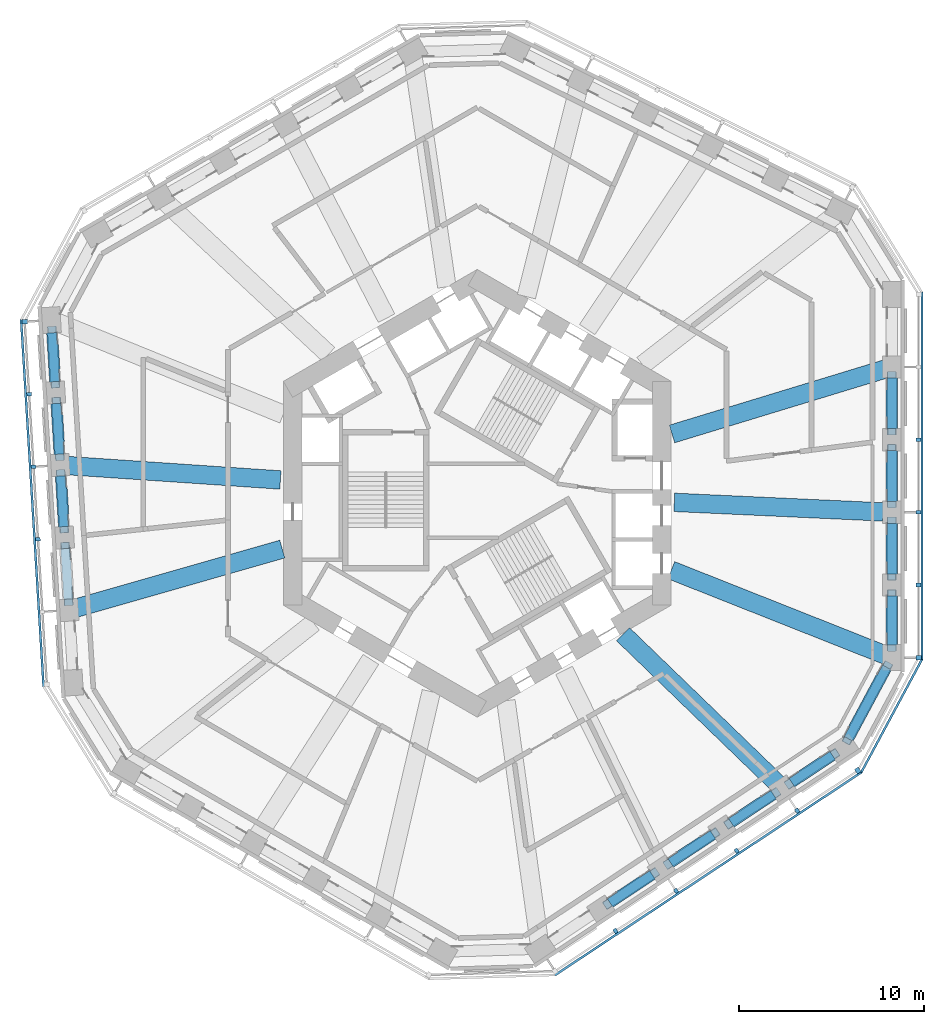
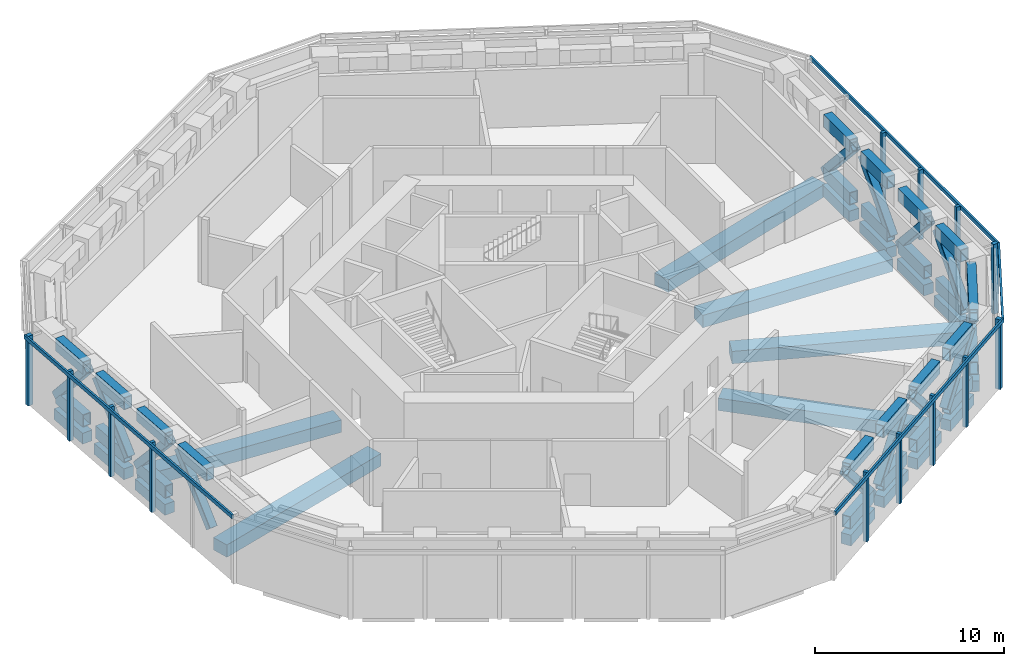
# One storey, part 2 of 15: 55 members, 18 beams, 4 elements without a shape of their own.
"""IFC4 building model written with IfcOpenShell, lengths in metres."""

from ifc_helpers import new_model, si_unit, direction, frame, origin, origin_2d, place, context, subcontext, project, spatial, rectangle, hollow_rectangle, extrude, material, material_profile, profile_set, type_object, element, aggregate, save


model = new_model("IFC4")

# Units and contexts
model_context = context("Model", 3, precision=1e-05, world=origin(), true_north=direction((0.0, 1.0)))
body_context = subcontext(model_context, "Body", "Model", "MODEL_VIEW")
ifc_project = project(units=[si_unit("LENGTHUNIT", "METRE"), si_unit("AREAUNIT", "SQUARE_METRE"), si_unit("VOLUMEUNIT", "CUBIC_METRE"), si_unit("PLANEANGLEUNIT", "RADIAN"), si_unit("MASSUNIT", "GRAM", prefix="KILO")], contexts=[model_context])

# Site, building, storey
site_placement = place(None, origin())
site = spatial("IfcSite", under=ifc_project, at=site_placement, CompositionType="ELEMENT")
building_placement = place(site_placement, origin())
building = spatial("IfcBuilding", under=site, at=building_placement, Name="Vanh Sen Convention Tower", CompositionType="ELEMENT")
storey_placement = place(building_placement, frame((0.0, 0.0, 119.89990234375)))
storey = spatial("IfcBuildingStorey", under=building, at=storey_placement, Name="L29", CompositionType="ELEMENT", Elevation=119.89990234375)

# Members
ifc_material_1 = material(Name="Steel S460", Category="steel")
ifc_material_profile_1 = material_profile(ifc_material_1, hollow_rectangle(XDim=0.5, YDim=0.800048828125, WallThickness=0.0400390625, at=origin_2d()), Name="BOX 800X500X40")
ifc_profile_set_1 = profile_set([ifc_material_profile_1], Name="Steel S460")
member_type_1 = type_object("IfcMemberType", Name="Belt truss chord BOX 800X500X40", PredefinedType="CHORD", material=ifc_profile_set_1)
for number, where, z_axis, x_axis, name in (
    (1, (22.449951171875, -8.2041015625, 0.400146484375), (0.0, 1.0, 0.0), (-1.0, 0.0, 0.0), "BELT TRUSS chord bottom 01 L29"),
    (2, (22.449951171875, -8.2041015625, 3.800048828125), (0.0, 1.0, 0.0), (-1.0, 0.0, 0.0), "BELT TRUSS chord top 01 L29"),
):
    element("IfcMember", number, at=place(storey_placement, frame(where, z_axis=z_axis, x_axis=x_axis)), inside=storey, type_object=member_type_1, Name=name, PredefinedType="CHORD", context=body_context, shape_type="SweptSolid", body=[
        extrude(hollow_rectangle(XDim=0.5, YDim=0.800048828125, WallThickness=0.0400390625, at=origin_2d()), origin(), (0.0, 0.0, 1.0), 2.64453125),
    ])
for number, where, z_axis, x_axis, name in (
    (3, (22.449951171875, -4.36962890625, 0.400146484375), (0.0, 1.0, 0.0), (-1.0, 0.0, 0.0), "BELT TRUSS chord bottom 02 L29"),
    (4, (22.449951171875, -4.36962890625, 3.800048828125), (0.0, 1.0, 0.0), (-1.0, 0.0, 0.0), "BELT TRUSS chord top 02 L29"),
    (5, (22.449951171875, -0.43505859375, 0.400146484375), (0.0, 1.0, 0.0), (-1.0, 0.0, 0.0), "BELT TRUSS chord bottom 03 L29"),
    (6, (22.449951171875, -0.43505859375, 3.800048828125), (0.0, 1.0, 0.0), (-1.0, 0.0, 0.0), "BELT TRUSS chord top 03 L29"),
    (7, (22.449951171875, 3.49951171875, 0.400146484375), (0.0, 1.0, 0.0), (-1.0, 0.0, 0.0), "BELT TRUSS chord bottom 04 L29"),
    (8, (22.449951171875, 3.49951171875, 3.800048828125), (0.0, 1.0, 0.0), (-1.0, 0.0, 0.0), "BELT TRUSS chord top 04 L29"),
):
    element("IfcMember", number, at=place(storey_placement, frame(where, z_axis=z_axis, x_axis=x_axis)), inside=storey, type_object=member_type_1, Name=name, PredefinedType="CHORD", context=body_context, shape_type="SweptSolid", body=[
        extrude(hollow_rectangle(XDim=0.5, YDim=0.800048828125, WallThickness=0.0400390625, at=origin_2d()), origin(), (0.0, 0.0, 1.0), 2.74462890625),
    ])
for number, where, z_axis, x_axis, name in (
    (9, (-23.0234375, 8.689453125, 0.400146484375), (0.061113817246, -0.998130803723, 0.0), (0.998130803723, 0.061113817246, 0.0), "BELT TRUSS chord bottom 19 L29"),
    (10, (-23.0234375, 8.689453125, 3.800048828125), (0.061113817246, -0.998130803723, 0.0), (0.998130803723, 0.061113817246, 0.0), "BELT TRUSS chord top 19 L29"),
):
    element("IfcMember", number, at=place(storey_placement, frame(where, z_axis=z_axis, x_axis=x_axis)), inside=storey, type_object=member_type_1, Name=name, PredefinedType="CHORD", context=body_context, shape_type="SweptSolid", body=[
        extrude(hollow_rectangle(XDim=0.5, YDim=0.800048828125, WallThickness=0.0400390625, at=origin_2d()), origin(), (0.0, 0.0, 1.0), 2.64453125),
    ])
for number, where, z_axis, x_axis, name in (
    (11, (-22.789306640625, 4.86181640625, 0.400146484375), (0.061115489467, -0.998130701335, 0.0), (0.998130701335, 0.061115489467, 0.0), "BELT TRUSS chord bottom 20 L29"),
    (12, (-22.789306640625, 4.86181640625, 3.800048828125), (0.061115489467, -0.998130701335, 0.0), (0.998130701335, 0.061115489467, 0.0), "BELT TRUSS chord top 20 L29"),
):
    element("IfcMember", number, at=place(storey_placement, frame(where, z_axis=z_axis, x_axis=x_axis)), inside=storey, type_object=member_type_1, Name=name, PredefinedType="CHORD", context=body_context, shape_type="SweptSolid", body=[
        extrude(hollow_rectangle(XDim=0.5, YDim=0.800048828125, WallThickness=0.0400390625, at=origin_2d()), origin(), (0.0, 0.0, 1.0), 2.744384765625),
    ])
for number, where, z_axis, x_axis, name in (
    (13, (-22.549072265625, 0.934814453125, 0.400146484375), (0.061021442686, -0.998136455367, 0.0), (0.998136455367, 0.061021442686, 0.0), "BELT TRUSS chord bottom 21 L29"),
    (14, (-22.549072265625, 0.934814453125, 3.800048828125), (0.061021442686, -0.998136455367, 0.0), (0.998136455367, 0.061021442686, 0.0), "BELT TRUSS chord top 21 L29"),
):
    element("IfcMember", number, at=place(storey_placement, frame(where, z_axis=z_axis, x_axis=x_axis)), inside=storey, type_object=member_type_1, Name=name, PredefinedType="CHORD", context=body_context, shape_type="SweptSolid", body=[
        extrude(hollow_rectangle(XDim=0.5, YDim=0.800048828125, WallThickness=0.0400390625, at=origin_2d()), origin(), (0.0, 0.0, 1.0), 2.74462890625),
    ])
for number, where, z_axis, x_axis, name in (
    (15, (-22.308837890625, -2.99267578125, 3.800048828125), (0.061026861063, -0.998136124098, 0.0), (0.998136124098, 0.061026861063, 0.0), "BELT TRUSS chord top 22 L29"),
    (16, (7.18408203125, -22.1669921875, 0.400146484375), (0.833906917805, 0.551905111805, 0.0), (-0.551905111805, 0.833906917805, 0.0), "BELT TRUSS chord bottom 32 L29"),
    (17, (7.18408203125, -22.1669921875, 3.800048828125), (0.833906917805, 0.551905111805, 0.0), (-0.551905111805, 0.833906917805, 0.0), "BELT TRUSS chord top 32 L29"),
):
    element("IfcMember", number, at=place(storey_placement, frame(where, z_axis=z_axis, x_axis=x_axis)), inside=storey, type_object=member_type_1, Name=name, PredefinedType="CHORD", context=body_context, shape_type="SweptSolid", body=[
        extrude(hollow_rectangle(XDim=0.5, YDim=0.800048828125, WallThickness=0.0400390625, at=origin_2d()), origin(), (0.0, 0.0, 1.0), 2.744384765625),
    ])
for number, where, z_axis, x_axis, name in (
    (18, (10.465087890625, -19.99560546875, 0.400146484375), (0.833865974996, 0.551966969794, 0.0), (-0.551966969794, 0.833865974996, 0.0), "BELT TRUSS chord bottom 33 L29"),
    (19, (10.465087890625, -19.99560546875, 3.800048828125), (0.833865974996, 0.551966969794, 0.0), (-0.551966969794, 0.833865974996, 0.0), "BELT TRUSS chord top 33 L29"),
):
    element("IfcMember", number, at=place(storey_placement, frame(where, z_axis=z_axis, x_axis=x_axis)), inside=storey, type_object=member_type_1, Name=name, PredefinedType="CHORD", context=body_context, shape_type="SweptSolid", body=[
        extrude(hollow_rectangle(XDim=0.5, YDim=0.800048828125, WallThickness=0.0400390625, at=origin_2d()), origin(), (0.0, 0.0, 1.0), 2.74462890625),
    ])
for number, where, z_axis, x_axis, name in (
    (20, (13.74609375, -17.82373046875, 0.400146484375), (0.833906917805, 0.551905111805, 0.0), (-0.551905111805, 0.833906917805, 0.0), "BELT TRUSS chord bottom 34 L29"),
    (21, (13.74609375, -17.82373046875, 3.800048828125), (0.833906917805, 0.551905111805, 0.0), (-0.551905111805, 0.833906917805, 0.0), "BELT TRUSS chord top 34 L29"),
):
    element("IfcMember", number, at=place(storey_placement, frame(where, z_axis=z_axis, x_axis=x_axis)), inside=storey, type_object=member_type_1, Name=name, PredefinedType="CHORD", context=body_context, shape_type="SweptSolid", body=[
        extrude(hollow_rectangle(XDim=0.5, YDim=0.800048828125, WallThickness=0.0400390625, at=origin_2d()), origin(), (0.0, 0.0, 1.0), 2.744384765625),
    ])
for number, where, z_axis, x_axis, name in (
    (22, (17.027099609375, -15.652099609375, 0.400146484375), (0.833877845886, 0.551949035819, 0.0), (-0.551949035819, 0.833877845886, 0.0), "BELT TRUSS chord bottom 35 L29"),
    (23, (17.027099609375, -15.652099609375, 3.800048828125), (0.833877845886, 0.551949035819, 0.0), (-0.551949035819, 0.833877845886, 0.0), "BELT TRUSS chord top 35 L29"),
):
    element("IfcMember", number, at=place(storey_placement, frame(where, z_axis=z_axis, x_axis=x_axis)), inside=storey, type_object=member_type_1, Name=name, PredefinedType="CHORD", context=body_context, shape_type="SweptSolid", body=[
        extrude(hollow_rectangle(XDim=0.5, YDim=0.800048828125, WallThickness=0.0400390625, at=origin_2d()), origin(), (0.0, 0.0, 1.0), 2.644775390625),
    ])
for number, where, z_axis, x_axis, name in (
    (24, (20.08935546875, -13.29248046875, 0.400146484375), (0.473335516366, 0.880882221949, 0.0), (-0.880882221949, 0.473335516366, 0.0), "BELT TRUSS chord bottom 36 L29"),
    (25, (20.08935546875, -13.29248046875, 3.800048828125), (0.473335516366, 0.880882221949, 0.0), (-0.880882221949, 0.473335516366, 0.0), "BELT TRUSS chord top 36 L29"),
):
    element("IfcMember", number, at=place(storey_placement, frame(where, z_axis=z_axis, x_axis=x_axis)), inside=storey, type_object=member_type_1, Name=name, PredefinedType="CHORD", context=body_context, shape_type="SweptSolid", body=[
        extrude(hollow_rectangle(XDim=0.5, YDim=0.800048828125, WallThickness=0.0400390625, at=origin_2d()), origin(), (0.0, 0.0, 1.0), 4.401123046875),
    ])
ifc_material_2 = material(Name="Steel S355", Category="steel")
ifc_material_profile_2 = material_profile(ifc_material_2, hollow_rectangle(XDim=0.5, YDim=0.5, WallThickness=0.02490234375, InnerFilletRadius=0.02490234375, OuterFilletRadius=0.050048828125, at=origin_2d()), Name="SHS 500X500X25")
ifc_profile_set_2 = profile_set([ifc_material_profile_2], Name="Steel S355")
member_type_2 = type_object("IfcMemberType", Name="Belt truss diagonal SHS 500X500X25", PredefinedType="BRACE", material=ifc_profile_set_2)
member_1_placement = place(storey_placement, frame((22.449951171875, -8.36767578125, 0.400146484375), z_axis=(0.0, 0.658098773361, 0.752931606788), x_axis=(-1.0, 0.0, 0.0)))
element("IfcMember", 26, at=member_1_placement, inside=storey, type_object=member_type_2, Name="BELT TRUSS diagonal 01 L29", PredefinedType="BRACE", context=body_context, shape_type="SweptSolid", body=[
    extrude(hollow_rectangle(XDim=0.5, YDim=0.5, WallThickness=0.02490234375, InnerFilletRadius=0.02490234375, OuterFilletRadius=0.050048828125, at=origin_2d()), origin(), (0.0, 0.0, 1.0), 4.515625),
])
for number, where, z_axis, x_axis, name in (
    (27, (22.449951171875, -4.533203125, 3.800048828125), (0.0, 0.670364821255, -0.742031674811), (-1.0, 0.0, 0.0), "BELT TRUSS diagonal 02 L29"),
    (28, (22.449951171875, -0.5986328125, 0.400146484375), (0.0, 0.670364821255, 0.742031674811), (-1.0, 0.0, 0.0), "BELT TRUSS diagonal 03 L29"),
):
    element("IfcMember", number, at=place(storey_placement, frame(where, z_axis=z_axis, x_axis=x_axis)), inside=storey, type_object=member_type_2, Name=name, PredefinedType="BRACE", context=body_context, shape_type="SweptSolid", body=[
        extrude(hollow_rectangle(XDim=0.5, YDim=0.5, WallThickness=0.02490234375, InnerFilletRadius=0.02490234375, OuterFilletRadius=0.050048828125, at=origin_2d()), origin(), (0.0, 0.0, 1.0), 4.581787109375),
    ])
member_2_placement = place(storey_placement, frame((22.449951171875, 3.3359375, 3.800048828125), z_axis=(0.0, 0.670394158389, -0.742005170062), x_axis=(-1.0, 0.0, 0.0)))
element("IfcMember", 29, at=member_2_placement, inside=storey, type_object=member_type_2, Name="BELT TRUSS diagonal 04 L29", PredefinedType="BRACE", context=body_context, shape_type="SweptSolid", body=[
    extrude(hollow_rectangle(XDim=0.5, YDim=0.5, WallThickness=0.02490234375, InnerFilletRadius=0.02490234375, OuterFilletRadius=0.050048828125, at=origin_2d()), origin(), (0.0, 0.0, 1.0), 4.58203125),
])
member_3_placement = place(storey_placement, frame((-23.033447265625, 8.8525390625, 0.400146484375), z_axis=(0.040225901393, -0.656860854875, 0.752938041402), x_axis=(0.998130113017, 0.061125097052, 0.0)))
element("IfcMember", 30, at=member_3_placement, inside=storey, type_object=member_type_2, Name="BELT TRUSS diagonal 19 L29", PredefinedType="BRACE", context=body_context, shape_type="SweptSolid", body=[
    extrude(hollow_rectangle(XDim=0.5, YDim=0.5, WallThickness=0.02490234375, InnerFilletRadius=0.02490234375, OuterFilletRadius=0.050048828125, at=origin_2d()), origin(), (0.0, 0.0, 1.0), 4.515625),
])
for number, where, z_axis, x_axis, name in (
    (31, (-22.79931640625, 5.025146484375, 3.800048828125), (0.040921364376, -0.669128247184, -0.74201942748), (0.998135186749, 0.061042190112, 0.0), "BELT TRUSS diagonal 20 L29"),
    (32, (-22.55908203125, 1.097900390625, 0.400146484375), (0.040921364376, -0.669128247184, 0.74201942748), (0.998135186749, 0.061042190112, 0.0), "BELT TRUSS diagonal 21 L29"),
    (33, (-22.31884765625, -2.829345703125, 3.800048828125), (0.040921364376, -0.669128247184, -0.74201942748), (0.998135186749, 0.061042190112, 0.0), "BELT TRUSS diagonal 22 L29"),
):
    element("IfcMember", number, at=place(storey_placement, frame(where, z_axis=z_axis, x_axis=x_axis)), inside=storey, type_object=member_type_2, Name=name, PredefinedType="BRACE", context=body_context, shape_type="SweptSolid", body=[
        extrude(hollow_rectangle(XDim=0.5, YDim=0.5, WallThickness=0.02490234375, InnerFilletRadius=0.02490234375, OuterFilletRadius=0.050048828125, at=origin_2d()), origin(), (0.0, 0.0, 1.0), 4.58203125),
    ])
for number, where, z_axis, x_axis, name in (
    (34, (7.0478515625, -22.25732421875, 3.800048828125), (0.558965889019, 0.370015170005, -0.74205519261), (-0.55198233558, 0.833855803606, 0.0), "BELT TRUSS diagonal 32 L29"),
    (35, (10.328857421875, -20.085693359375, 0.400146484375), (0.558965889019, 0.370015170005, 0.74205519261), (-0.55198233558, 0.833855803606, 0.0), "BELT TRUSS diagonal 33 L29"),
    (36, (13.60986328125, -17.9140625, 3.800048828125), (0.558965889019, 0.370015170005, -0.74205519261), (-0.55198233558, 0.833855803606, 0.0), "BELT TRUSS diagonal 34 L29"),
):
    element("IfcMember", number, at=place(storey_placement, frame(where, z_axis=z_axis, x_axis=x_axis)), inside=storey, type_object=member_type_2, Name=name, PredefinedType="BRACE", context=body_context, shape_type="SweptSolid", body=[
        extrude(hollow_rectangle(XDim=0.5, YDim=0.5, WallThickness=0.02490234375, InnerFilletRadius=0.02490234375, OuterFilletRadius=0.050048828125, at=origin_2d()), origin(), (0.0, 0.0, 1.0), 4.581787109375),
    ])
member_4_placement = place(storey_placement, frame((16.890869140625, -15.742431640625, 0.400146484375), z_axis=(0.548741158119, 0.363232150975, 0.752957864614), x_axis=(-0.551966890565, 0.833866027441, 0.0)))
element("IfcMember", 37, at=member_4_placement, inside=storey, type_object=member_type_2, Name="BELT TRUSS diagonal 35 L29", PredefinedType="BRACE", context=body_context, shape_type="SweptSolid", body=[
    extrude(hollow_rectangle(XDim=0.5, YDim=0.5, WallThickness=0.02490234375, InnerFilletRadius=0.02490234375, OuterFilletRadius=0.050048828125, at=origin_2d()), origin(), (0.0, 0.0, 1.0), 4.515380859375),
])
member_5_placement = place(storey_placement, frame((20.027587890625, -13.4072265625, 3.800048828125), z_axis=(0.382427021696, 0.711708619709, -0.589254116413), x_axis=(-0.880884449577, 0.473331370706, 0.0)))
element("IfcMember", 38, at=member_5_placement, inside=storey, type_object=member_type_2, Name="BELT TRUSS diagonal 36 L29", PredefinedType="BRACE", context=body_context, shape_type="SweptSolid", body=[
    extrude(hollow_rectangle(XDim=0.5, YDim=0.5, WallThickness=0.02490234375, InnerFilletRadius=0.02490234375, OuterFilletRadius=0.050048828125, at=origin_2d()), origin(), (0.0, 0.0, 1.0), 5.769775390625),
])

# Curtain wall, member
ifc_material_3 = material(Name="Concrete C50/60", Category="concrete")
curtain_wall_type = type_object("IfcCurtainWallType", Name="Outer skin hotel zone", PredefinedType="NOTDEFINED", material=ifc_material_3)
curtain_wall_1_placement = place(storey_placement, origin())
curtain_wall_1 = element("IfcCurtainWall", 39, at=curtain_wall_1_placement, inside=storey, type_object=curtain_wall_type, Name="OUTER SKIN E L29", PredefinedType="NOTDEFINED")
ifc_material_profile_3 = material_profile(ifc_material_3, rectangle(XDim=0.25, YDim=0.300048828125, at=origin_2d()), Name="Outer skin precast corner fin 250 x 300")
ifc_profile_set_3 = profile_set([ifc_material_profile_3], Name="Concrete C50/60")
member_type_3 = type_object("IfcMemberType", Name="Outer skin precast corner fin 250 x 300", PredefinedType="MULLION", material=ifc_profile_set_3)
member_6_placement = place(storey_placement, frame((23.89990234375, -8.899169921875, 0.0), z_axis=(0.0, 0.0, 1.0), x_axis=(0.0, 1.0, 0.0)))
member_6 = element("IfcMember", 40, at=member_6_placement, type_object=member_type_3, Name="OUTER SKIN CORNER FIN 1 E L29", PredefinedType="MULLION", context=body_context, shape_type="SweptSolid", body=[
    extrude(rectangle(XDim=0.25, YDim=0.300048828125, at=origin_2d()), origin(), (0.0, 0.0, 1.0), 4.5),
])

curtain_wall_2_placement = place(storey_placement, origin())
curtain_wall_2 = element("IfcCurtainWall", 41, at=curtain_wall_2_placement, inside=storey, type_object=curtain_wall_type, Name="OUTER SKIN W L29", PredefinedType="NOTDEFINED")
member_7_placement = place(storey_placement, frame((-24.51318359375, 9.294677734375, 0.0), z_axis=(0.0, 0.0, 1.0), x_axis=(0.061048539535, -0.998134798422, 0.0)))
member_7 = element("IfcMember", 42, at=member_7_placement, type_object=member_type_3, Name="OUTER SKIN CORNER FIN 1 W L29", PredefinedType="MULLION", context=body_context, shape_type="SweptSolid", body=[
    extrude(rectangle(XDim=0.25, YDim=0.300048828125, at=origin_2d()), origin(), (0.0, 0.0, 1.0), 4.5),
])

curtain_wall_3_placement = place(storey_placement, origin())
curtain_wall_3 = element("IfcCurtainWall", 43, at=curtain_wall_3_placement, inside=storey, type_object=curtain_wall_type, Name="OUTER SKIN SE L29", PredefinedType="NOTDEFINED")
member_8_placement = place(storey_placement, frame((20.6123046875, -15.01806640625, 0.0), z_axis=(0.0, 0.0, 1.0), x_axis=(0.833885822067, 0.551936985312, 0.0)))
member_8 = element("IfcMember", 44, at=member_8_placement, type_object=member_type_3, Name="OUTER SKIN CORNER FIN 6 SE L29", PredefinedType="MULLION", context=body_context, shape_type="SweptSolid", body=[
    extrude(rectangle(XDim=0.25, YDim=0.300048828125, at=origin_2d()), origin(), (0.0, 0.0, 1.0), 4.5),
])

# Member
ifc_material_profile_4 = material_profile(ifc_material_3, rectangle(XDim=0.199951171875, YDim=0.25, at=origin_2d()), Name="Outer skin precast fin 200 x 250")
ifc_profile_set_4 = profile_set([ifc_material_profile_4], Name="Concrete C50/60")
member_type_4 = type_object("IfcMemberType", Name="Outer skin precast fin 200 x 250", PredefinedType="MULLION", material=ifc_profile_set_4)
member_9_placement = place(storey_placement, frame((23.89990234375, -4.964599609375, 0.0), z_axis=(0.0, 0.0, 1.0), x_axis=(0.0, 1.0, 0.0)))
member_9 = element("IfcMember", 45, at=member_9_placement, type_object=member_type_4, Name="OUTER SKIN fin 2 E L29", PredefinedType="MULLION", context=body_context, shape_type="SweptSolid", body=[
    extrude(rectangle(XDim=0.199951171875, YDim=0.25, at=origin_2d()), origin(), (0.0, 0.0, 1.0), 4.5),
])

member_10_placement = place(storey_placement, frame((23.89990234375, -1.030029296875, 0.0), z_axis=(0.0, 0.0, 1.0), x_axis=(0.0, 1.0, 0.0)))
member_10 = element("IfcMember", 46, at=member_10_placement, type_object=member_type_4, Name="OUTER SKIN fin 3 E L29", PredefinedType="MULLION", context=body_context, shape_type="SweptSolid", body=[
    extrude(rectangle(XDim=0.199951171875, YDim=0.25, at=origin_2d()), origin(), (0.0, 0.0, 1.0), 4.5),
])

member_11_placement = place(storey_placement, frame((23.89990234375, 2.904541015625, 0.0), z_axis=(0.0, 0.0, 1.0), x_axis=(0.0, 1.0, 0.0)))
member_11 = element("IfcMember", 47, at=member_11_placement, type_object=member_type_4, Name="OUTER SKIN fin 4 E L29", PredefinedType="MULLION", context=body_context, shape_type="SweptSolid", body=[
    extrude(rectangle(XDim=0.199951171875, YDim=0.25, at=origin_2d()), origin(), (0.0, 0.0, 1.0), 4.5),
])

member_12_placement = place(storey_placement, frame((-24.27294921875, 5.3671875, 0.0), z_axis=(0.0, 0.0, 1.0), x_axis=(0.061048539535, -0.998134798422, 0.0)))
member_12 = element("IfcMember", 48, at=member_12_placement, type_object=member_type_4, Name="OUTER SKIN fin 2 W L29", PredefinedType="MULLION", context=body_context, shape_type="SweptSolid", body=[
    extrude(rectangle(XDim=0.199951171875, YDim=0.25, at=origin_2d()), origin(), (0.0, 0.0, 1.0), 4.5),
])

member_13_placement = place(storey_placement, frame((-24.03271484375, 1.440185546875, 0.0), z_axis=(0.0, 0.0, 1.0), x_axis=(0.061048539535, -0.998134798422, 0.0)))
member_13 = element("IfcMember", 49, at=member_13_placement, type_object=member_type_4, Name="OUTER SKIN fin 3 W L29", PredefinedType="MULLION", context=body_context, shape_type="SweptSolid", body=[
    extrude(rectangle(XDim=0.199951171875, YDim=0.25, at=origin_2d()), origin(), (0.0, 0.0, 1.0), 4.5),
])

member_14_placement = place(storey_placement, frame((-23.79248046875, -2.4873046875, 0.0), z_axis=(0.0, 0.0, 1.0), x_axis=(0.061048539535, -0.998134798422, 0.0)))
member_14 = element("IfcMember", 50, at=member_14_placement, type_object=member_type_4, Name="OUTER SKIN fin 4 W L29", PredefinedType="MULLION", context=body_context, shape_type="SweptSolid", body=[
    extrude(rectangle(XDim=0.199951171875, YDim=0.25, at=origin_2d()), origin(), (0.0, 0.0, 1.0), 4.5),
])

member_15_placement = place(storey_placement, frame((7.48828125, -23.70458984375, 0.0), z_axis=(0.0, 0.0, 1.0), x_axis=(0.833885822067, 0.551936985312, 0.0)))
member_15 = element("IfcMember", 51, at=member_15_placement, type_object=member_type_4, Name="OUTER SKIN fin 2 SE L29", PredefinedType="MULLION", context=body_context, shape_type="SweptSolid", body=[
    extrude(rectangle(XDim=0.199951171875, YDim=0.25, at=origin_2d()), origin(), (0.0, 0.0, 1.0), 4.5),
])

member_16_placement = place(storey_placement, frame((10.769287109375, -21.532958984375, 0.0), z_axis=(0.0, 0.0, 1.0), x_axis=(0.833885822067, 0.551936985312, 0.0)))
member_16 = element("IfcMember", 52, at=member_16_placement, type_object=member_type_4, Name="OUTER SKIN fin 3 SE L29", PredefinedType="MULLION", context=body_context, shape_type="SweptSolid", body=[
    extrude(rectangle(XDim=0.199951171875, YDim=0.25, at=origin_2d()), origin(), (0.0, 0.0, 1.0), 4.5),
])

member_17_placement = place(storey_placement, frame((14.05029296875, -19.361328125, 0.0), z_axis=(0.0, 0.0, 1.0), x_axis=(0.833885822067, 0.551936985312, 0.0)))
member_17 = element("IfcMember", 53, at=member_17_placement, type_object=member_type_4, Name="OUTER SKIN fin 4 SE L29", PredefinedType="MULLION", context=body_context, shape_type="SweptSolid", body=[
    extrude(rectangle(XDim=0.199951171875, YDim=0.25, at=origin_2d()), origin(), (0.0, 0.0, 1.0), 4.5),
])

member_18_placement = place(storey_placement, frame((17.331298828125, -17.189697265625, 0.0), z_axis=(0.0, 0.0, 1.0), x_axis=(0.833885822067, 0.551936985312, 0.0)))
member_18 = element("IfcMember", 54, at=member_18_placement, type_object=member_type_4, Name="OUTER SKIN fin 5 SE L29", PredefinedType="MULLION", context=body_context, shape_type="SweptSolid", body=[
    extrude(rectangle(XDim=0.199951171875, YDim=0.25, at=origin_2d()), origin(), (0.0, 0.0, 1.0), 4.5),
])

ifc_material_profile_5 = material_profile(ifc_material_3, rectangle(XDim=0.1201171875, YDim=0.25, at=origin_2d()), Name="Outer skin precast spandrel band 250 x 120")
ifc_profile_set_5 = profile_set([ifc_material_profile_5], Name="Concrete C50/60")
member_type_5 = type_object("IfcMemberType", Name="Outer skin precast spandrel band 250 x 120", PredefinedType="USERDEFINED", material=ifc_profile_set_5)
member_19_placement = place(storey_placement, frame((24.0849609375, -9.024169921875, 4.375), z_axis=(0.0, 1.0, 0.0), x_axis=(-1.0, 0.0, 0.0)))
member_19 = element("IfcMember", 55, at=member_19_placement, type_object=member_type_5, Name="OUTER SKIN spandrel band E L29", ObjectType="TRANSOM", PredefinedType="USERDEFINED", context=body_context, shape_type="SweptSolid", body=[
    extrude(rectangle(XDim=0.1201171875, YDim=0.25, at=origin_2d()), origin(), (0.0, 0.0, 1.0), 19.9228515625),
])

aggregate(curtain_wall_1, [member_6, member_9, member_10, member_11, member_19])

member_20_placement = place(storey_placement, frame((-24.705322265625, 9.408203125, 4.375), z_axis=(0.061050017989, -0.998134707995, 0.0), x_axis=(0.998134707995, 0.061050017989, 0.0)))
member_20 = element("IfcMember", 56, at=member_20_placement, type_object=member_type_5, Name="OUTER SKIN spandrel band W L29", ObjectType="TRANSOM", PredefinedType="USERDEFINED", context=body_context, shape_type="SweptSolid", body=[
    extrude(rectangle(XDim=0.1201171875, YDim=0.25, at=origin_2d()), origin(), (0.0, 0.0, 1.0), 19.923095703125),
])

aggregate(curtain_wall_2, [member_7, member_12, member_13, member_14, member_20])

member_21_placement = place(storey_placement, frame((4.205078125, -26.099609375, 4.375), z_axis=(0.833883851182, 0.551939962984, 0.0), x_axis=(-0.551939962984, 0.833883851182, 0.0)))
member_21 = element("IfcMember", 57, at=member_21_placement, type_object=member_type_5, Name="OUTER SKIN spandrel band SE L29", ObjectType="TRANSOM", PredefinedType="USERDEFINED", context=body_context, shape_type="SweptSolid", body=[
    extrude(rectangle(XDim=0.1201171875, YDim=0.25, at=origin_2d()), origin(), (0.0, 0.0, 1.0), 19.923095703125),
])

aggregate(curtain_wall_3, [member_15, member_16, member_17, member_18, member_8, member_21])

# Curtain wall, member
curtain_wall_4_placement = place(storey_placement, origin())
curtain_wall_4 = element("IfcCurtainWall", 58, at=curtain_wall_4_placement, inside=storey, type_object=curtain_wall_type, Name="OUTER SKIN CH6 L29", PredefinedType="NOTDEFINED")
member_22_placement = place(storey_placement, frame((20.797119140625, -15.117431640625, 4.375), z_axis=(0.473324148816, 0.880888330123, 0.0), x_axis=(-0.880888330123, 0.473324148816, 0.0)))
member_22 = element("IfcMember", 59, at=member_22_placement, type_object=member_type_5, Name="OUTER SKIN spandrel band CH6 L29", ObjectType="TRANSOM", PredefinedType="USERDEFINED", context=body_context, shape_type="SweptSolid", body=[
    extrude(rectangle(XDim=0.1201171875, YDim=0.25, at=origin_2d()), origin(), (0.0, 0.0, 1.0), 6.9462890625),
])
aggregate(curtain_wall_4, [member_22])

# Beams
ifc_material_4 = material(Name="Concrete C50/60", Category="concrete")
ifc_material_profile_6 = material_profile(ifc_material_4, rectangle(XDim=1.0, YDim=0.800048828125, at=origin_2d()), Name="RC 1000X800")
ifc_profile_set_6 = profile_set([ifc_material_profile_6], Name="Concrete C50/60")
beam_type_1 = type_object("IfcBeamType", Name="Radial floor beam 1000 x 800", PredefinedType="BEAM", material=ifc_profile_set_6)
beam_1_placement = place(storey_placement, frame((22.138916015625, -8.77587890625, -0.75), z_axis=(-0.929624483463, 0.368508235655, 0.0), x_axis=(-0.368508235655, -0.929624483463, 0.0)))
element("IfcBeam", 60, at=beam_1_placement, inside=storey, type_object=beam_type_1, Name="Radial beam 01 L29", PredefinedType="BEAM", context=body_context, shape_type="SweptSolid", body=[
    extrude(rectangle(XDim=1.0, YDim=0.800048828125, at=origin_2d()), origin(), (0.0, 0.0, 1.0), 12.50830078125),
])
beam_2_placement = place(storey_placement, frame((21.977783203125, -1.00830078125, -0.75), z_axis=(-0.998949774884, 0.045818634401, 0.0), x_axis=(-0.045818634401, -0.998949774884, 0.0)))
element("IfcBeam", 61, at=beam_2_placement, inside=storey, type_object=beam_type_1, Name="Radial beam 02 L29", PredefinedType="BEAM", context=body_context, shape_type="SweptSolid", body=[
    extrude(rectangle(XDim=1.0, YDim=0.800048828125, at=origin_2d()), origin(), (0.0, 0.0, 1.0), 11.317626953125),
])
beam_3_placement = place(storey_placement, frame((22.219482421875, 6.768798828125, -0.75), z_axis=(-0.956600412903, -0.291402899838, 0.0), x_axis=(0.291402899838, -0.956600412903, 0.0)))
element("IfcBeam", 62, at=beam_3_placement, inside=storey, type_object=beam_type_1, Name="Radial beam 03 L29", PredefinedType="BEAM", context=body_context, shape_type="SweptSolid", body=[
    extrude(rectangle(XDim=1.0, YDim=0.800048828125, at=origin_2d()), origin(), (0.0, 0.0, 1.0), 12.199462890625),
])
beam_4_placement = place(storey_placement, frame((-22.169921875, 1.50048828125, -0.75), z_axis=(0.997718167553, -0.067516354571, 0.0), x_axis=(0.067516354571, 0.997718167553, 0.0)))
element("IfcBeam", 63, at=beam_4_placement, inside=storey, type_object=beam_type_1, Name="Radial beam 11 L29", PredefinedType="BEAM", context=body_context, shape_type="SweptSolid", body=[
    extrude(rectangle(XDim=1.0, YDim=0.800048828125, at=origin_2d()), origin(), (0.0, 0.0, 1.0), 11.53515625),
])
for number, where, z_axis, x_axis, name in (
    (64, (-21.834716796875, -6.24853515625, -0.75), (0.961405259266, 0.275136198009, 0.0), (-0.275136198009, 0.961405259266, 0.0), "Radial beam 12 L29"),
    (65, (16.32861328125, -15.78515625, -0.75), (-0.718973467846, 0.695037518796, 0.0), (-0.695037518796, -0.718973467846, 0.0), "Radial beam 18 L29"),
):
    element("IfcBeam", number, at=place(storey_placement, frame(where, z_axis=z_axis, x_axis=x_axis)), inside=storey, type_object=beam_type_1, Name=name, PredefinedType="BEAM", context=body_context, shape_type="SweptSolid", body=[
        extrude(rectangle(XDim=1.0, YDim=0.800048828125, at=origin_2d()), origin(), (0.0, 0.0, 1.0), 11.729736328125),
    ])
ifc_material_profile_7 = material_profile(ifc_material_4, rectangle(XDim=0.60009765625, YDim=0.699951171875, at=origin_2d()), Name="RC 600X700")
ifc_profile_set_7 = profile_set([ifc_material_profile_7], Name="Concrete C50/60")
beam_type_2 = type_object("IfcBeamType", Name="Spandrel beam 600 x 700", PredefinedType="SPANDREL", material=ifc_profile_set_7)
beam_5_placement = place(storey_placement, frame((22.449951171875, -8.254150390625, -0.699951171875), z_axis=(0.0, 1.0, 0.0), x_axis=(-1.0, 0.0, 0.0)))
element("IfcBeam", 66, at=beam_5_placement, inside=storey, type_object=beam_type_2, Name="Spandrel beam 01 L29", PredefinedType="SPANDREL", context=body_context, shape_type="SweptSolid", body=[
    extrude(rectangle(XDim=0.60009765625, YDim=0.699951171875, at=origin_2d()), origin(), (0.0, 0.0, 1.0), 2.74462890625),
])
beam_6_placement = place(storey_placement, frame((22.449951171875, -4.419677734375, -0.699951171875), z_axis=(0.0, 1.0, 0.0), x_axis=(-1.0, 0.0, 0.0)))
element("IfcBeam", 67, at=beam_6_placement, inside=storey, type_object=beam_type_2, Name="Spandrel beam 02 L29", PredefinedType="SPANDREL", context=body_context, shape_type="SweptSolid", body=[
    extrude(rectangle(XDim=0.60009765625, YDim=0.699951171875, at=origin_2d()), origin(), (0.0, 0.0, 1.0), 2.844482421875),
])
for number, where, z_axis, x_axis, name in (
    (68, (22.449951171875, -0.485107421875, -0.699951171875), (0.0, 1.0, 0.0), (-1.0, 0.0, 0.0), "Spandrel beam 03 L29"),
    (69, (22.449951171875, 3.449462890625, -0.699951171875), (0.0, 1.0, 0.0), (-1.0, 0.0, 0.0), "Spandrel beam 04 L29"),
):
    element("IfcBeam", number, at=place(storey_placement, frame(where, z_axis=z_axis, x_axis=x_axis)), inside=storey, type_object=beam_type_2, Name=name, PredefinedType="SPANDREL", context=body_context, shape_type="SweptSolid", body=[
        extrude(rectangle(XDim=0.60009765625, YDim=0.699951171875, at=origin_2d()), origin(), (0.0, 0.0, 1.0), 2.8447265625),
    ])
beam_7_placement = place(storey_placement, frame((-23.0263671875, 8.7392578125, -0.699951171875), z_axis=(0.061021442686, -0.998136455367, 0.0), x_axis=(0.998136455367, 0.061021442686, 0.0)))
element("IfcBeam", 70, at=beam_7_placement, inside=storey, type_object=beam_type_2, Name="Spandrel beam 19 L29", PredefinedType="SPANDREL", context=body_context, shape_type="SweptSolid", body=[
    extrude(rectangle(XDim=0.60009765625, YDim=0.699951171875, at=origin_2d()), origin(), (0.0, 0.0, 1.0), 2.74462890625),
])
for number, where, z_axis, x_axis, name in (
    (71, (-22.792236328125, 4.911865234375, -0.699951171875), (0.061021069303, -0.998136478194, 0.0), (0.998136478194, 0.061021069303, 0.0), "Spandrel beam 20 L29"),
    (72, (-22.552001953125, 0.984619140625, -0.699951171875), (0.061021069303, -0.998136478194, 0.0), (0.998136478194, 0.061021069303, 0.0), "Spandrel beam 21 L29"),
):
    element("IfcBeam", number, at=place(storey_placement, frame(where, z_axis=z_axis, x_axis=x_axis)), inside=storey, type_object=beam_type_2, Name=name, PredefinedType="SPANDREL", context=body_context, shape_type="SweptSolid", body=[
        extrude(rectangle(XDim=0.60009765625, YDim=0.699951171875, at=origin_2d()), origin(), (0.0, 0.0, 1.0), 2.8447265625),
    ])
beam_8_placement = place(storey_placement, frame((7.142333984375, -22.194580078125, -0.699951171875), z_axis=(0.833920587756, 0.551884456491, 0.0), x_axis=(-0.551884456491, 0.833920587756, 0.0)))
element("IfcBeam", 73, at=beam_8_placement, inside=storey, type_object=beam_type_2, Name="Spandrel beam 32 L29", PredefinedType="SPANDREL", context=body_context, shape_type="SweptSolid", body=[
    extrude(rectangle(XDim=0.60009765625, YDim=0.699951171875, at=origin_2d()), origin(), (0.0, 0.0, 1.0), 2.844482421875),
])
beam_9_placement = place(storey_placement, frame((10.42333984375, -20.023193359375, -0.699951171875), z_axis=(0.833841584342, 0.552003815406, 0.0), x_axis=(-0.552003815406, 0.833841584342, 0.0)))
element("IfcBeam", 74, at=beam_9_placement, inside=storey, type_object=beam_type_2, Name="Spandrel beam 33 L29", PredefinedType="SPANDREL", context=body_context, shape_type="SweptSolid", body=[
    extrude(rectangle(XDim=0.60009765625, YDim=0.699951171875, at=origin_2d()), origin(), (0.0, 0.0, 1.0), 2.8447265625),
])
beam_10_placement = place(storey_placement, frame((13.704345703125, -17.851318359375, -0.699951171875), z_axis=(0.833920587756, 0.551884456491, 0.0), x_axis=(-0.551884456491, 0.833920587756, 0.0)))
element("IfcBeam", 75, at=beam_10_placement, inside=storey, type_object=beam_type_2, Name="Spandrel beam 34 L29", PredefinedType="SPANDREL", context=body_context, shape_type="SweptSolid", body=[
    extrude(rectangle(XDim=0.60009765625, YDim=0.699951171875, at=origin_2d()), origin(), (0.0, 0.0, 1.0), 2.844482421875),
])
beam_11_placement = place(storey_placement, frame((16.9853515625, -15.6796875, -0.699951171875), z_axis=(0.833865974996, 0.551966969794, 0.0), x_axis=(-0.551966969794, 0.833865974996, 0.0)))
element("IfcBeam", 76, at=beam_11_placement, inside=storey, type_object=beam_type_2, Name="Spandrel beam 35 L29", PredefinedType="SPANDREL", context=body_context, shape_type="SweptSolid", body=[
    extrude(rectangle(XDim=0.60009765625, YDim=0.699951171875, at=origin_2d()), origin(), (0.0, 0.0, 1.0), 2.74462890625),
])
beam_12_placement = place(storey_placement, frame((20.04541015625, -13.37451171875, -0.699951171875), z_axis=(0.473290328657, 0.880906501735, 0.0), x_axis=(-0.880906501735, 0.473290328657, 0.0)))
element("IfcBeam", 77, at=beam_12_placement, inside=storey, type_object=beam_type_2, Name="Spandrel beam 36 L29", PredefinedType="SPANDREL", context=body_context, shape_type="SweptSolid", body=[
    extrude(rectangle(XDim=0.60009765625, YDim=0.699951171875, at=origin_2d()), origin(), (0.0, 0.0, 1.0), 4.58740234375),
])

save(model, "model.ifc")
